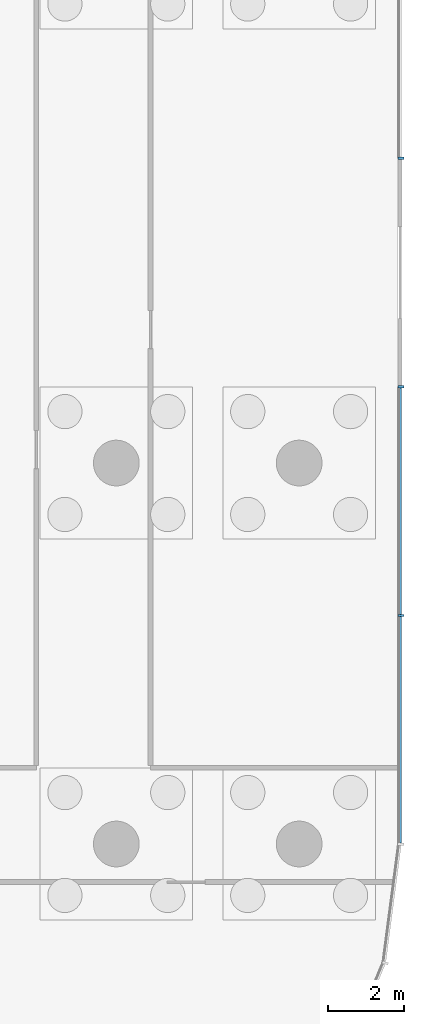
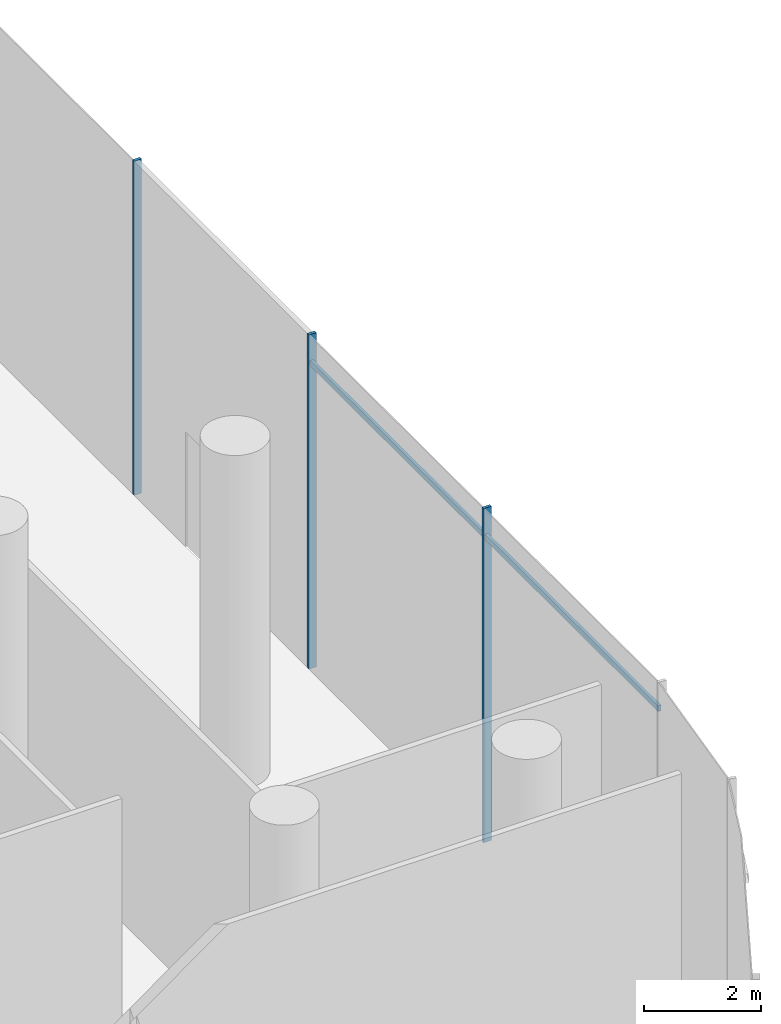
# One storey, part 12 of 41: 5 members, 1 element without a shape of its own.
"""IFC4 building model written with IfcOpenShell, lengths in metres."""

from ifc_helpers import new_model, si_unit, direction, frame, origin, origin_2d, place, context, subcontext, project, spatial, rectangle, extrude, material, material_profile, profile_set, type_object, element, aggregate, save


model = new_model("IFC4")

# Units and contexts
model_context = context("Model", 3, precision=1e-05, world=origin(), true_north=direction((0.0, 1.0)))
body_context = subcontext(model_context, "Body", "Model", "MODEL_VIEW")
ifc_project = project(units=[si_unit("LENGTHUNIT", "METRE"), si_unit("AREAUNIT", "SQUARE_METRE"), si_unit("VOLUMEUNIT", "CUBIC_METRE"), si_unit("PLANEANGLEUNIT", "RADIAN"), si_unit("MASSUNIT", "GRAM", prefix="KILO")], contexts=[model_context])

# Site, building, storey
site_placement = place(None, origin())
site = spatial("IfcSite", under=ifc_project, at=site_placement, CompositionType="ELEMENT")
building_placement = place(site_placement, origin())
building = spatial("IfcBuilding", under=site, at=building_placement, Name="Rimbun Link Towers", CompositionType="ELEMENT")
storey_placement = place(building_placement, origin())
storey = spatial("IfcBuildingStorey", under=building, at=storey_placement, Name="L00", CompositionType="ELEMENT", Elevation=0.0)

# Curtain wall, members
ifc_material_1 = material(Name="Aluminium 6063-T6 and low-iron glass", Category="aluminium")
curtain_wall_type = type_object("IfcCurtainWallType", Name="CW3 podium shopfront", PredefinedType="NOTDEFINED", material=ifc_material_1)
curtain_wall_placement = place(storey_placement, origin())
curtain_wall = element("IfcCurtainWall", 1, at=curtain_wall_placement, inside=storey, type_object=curtain_wall_type, Name="CW3 L00 PD", PredefinedType="NOTDEFINED")
ifc_material_2 = material(Name="Aluminium 6063-T6", Category="aluminium")
ifc_material_profile_1 = material_profile(ifc_material_2, rectangle(XDim=0.14990234375, YDim=0.06005859375, at=origin_2d()), Name="MULLION 60X150")
ifc_profile_set_1 = profile_set([ifc_material_profile_1], Name="Aluminium 6063-T6")
member_type_1 = type_object("IfcMemberType", Name="CW3 mullion 60X150", PredefinedType="MULLION", material=ifc_profile_set_1)
member_1_placement = place(storey_placement, frame((62.074951171875, -30.0, 0.0), z_axis=(0.0, 0.0, 1.0), x_axis=(1.0, 0.0, 0.0)))
member_1 = element("IfcMember", 2, at=member_1_placement, type_object=member_type_1, Name="CW3 mullion", PredefinedType="MULLION", context=body_context, shape_type="SweptSolid", body=[
    extrude(rectangle(XDim=0.14990234375, YDim=0.06005859375, at=origin_2d()), origin(), (0.0, 0.0, 1.0), 7.0),
])
member_2_placement = place(storey_placement, frame((62.074951171875, -24.0, 0.0), z_axis=(0.0, 0.0, 1.0), x_axis=(1.0, 0.0, 0.0)))
member_2 = element("IfcMember", 3, at=member_2_placement, type_object=member_type_1, Name="CW3 mullion", PredefinedType="MULLION", context=body_context, shape_type="SweptSolid", body=[
    extrude(rectangle(XDim=0.14990234375, YDim=0.06005859375, at=origin_2d()), origin(), (0.0, 0.0, 1.0), 7.0),
])
member_3_placement = place(storey_placement, frame((62.074951171875, -18.0, 0.0), z_axis=(0.0, 0.0, 1.0), x_axis=(1.0, 0.0, 0.0)))
member_3 = element("IfcMember", 4, at=member_3_placement, type_object=member_type_1, Name="CW3 mullion", PredefinedType="MULLION", context=body_context, shape_type="SweptSolid", body=[
    extrude(rectangle(XDim=0.14990234375, YDim=0.06005859375, at=origin_2d()), origin(), (0.0, 0.0, 1.0), 7.0),
])
ifc_material_3 = material(Name="Aluminium 6063-T6", Category="aluminium")
ifc_material_profile_2 = material_profile(ifc_material_3, rectangle(XDim=0.06005859375, YDim=0.1201171875, at=origin_2d()), Name="TRANSOM 60X120")
ifc_profile_set_2 = profile_set([ifc_material_profile_2], Name="Aluminium 6063-T6")
member_type_2 = type_object("IfcMemberType", Name="CW3 transom 60X120", PredefinedType="USERDEFINED", material=ifc_profile_set_2)
member_4_placement = place(storey_placement, frame((62.053955078125, -30.030029296875, 6.39990234375), z_axis=(0.0, -1.0, 0.0), x_axis=(1.0, 0.0, 0.0)))
member_4 = element("IfcMember", 5, at=member_4_placement, type_object=member_type_2, Name="CW3 transom", ObjectType="TRANSOM", PredefinedType="USERDEFINED", context=body_context, shape_type="SweptSolid", body=[
    extrude(rectangle(XDim=0.06005859375, YDim=0.1201171875, at=origin_2d()), origin(), (0.0, 0.0, 1.0), 5.93994140625),
])
member_5_placement = place(storey_placement, frame((62.053955078125, -24.030029296875, 6.39990234375), z_axis=(0.0, -1.0, 0.0), x_axis=(1.0, 0.0, 0.0)))
member_5 = element("IfcMember", 6, at=member_5_placement, type_object=member_type_2, Name="CW3 transom", ObjectType="TRANSOM", PredefinedType="USERDEFINED", context=body_context, shape_type="SweptSolid", body=[
    extrude(rectangle(XDim=0.06005859375, YDim=0.1201171875, at=origin_2d()), origin(), (0.0, 0.0, 1.0), 5.93994140625),
])
aggregate(curtain_wall, [member_1, member_2, member_3, member_4, member_5])

save(model, "model.ifc")
